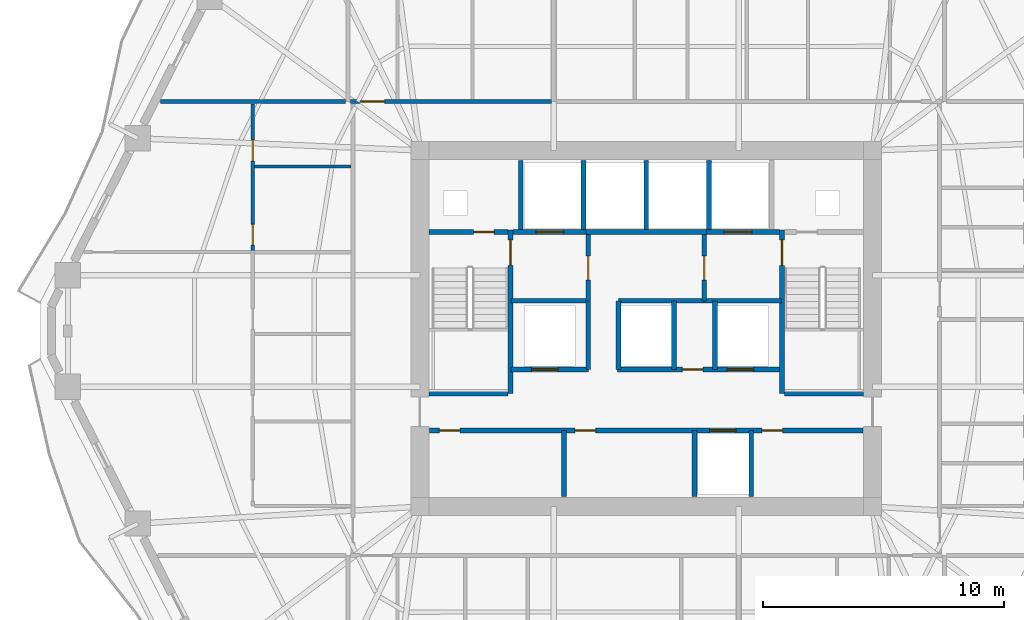
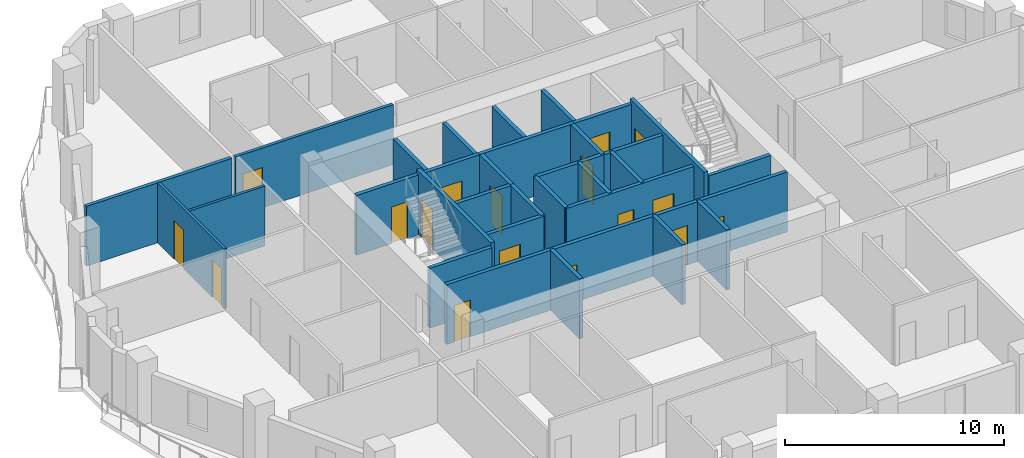
# One storey, part 5 of 11: 31 walls, 17 doors, 17 openings.
"""IFC4 building model written with IfcOpenShell, lengths in metres."""

from ifc_helpers import new_model, si_unit, direction, frame, frame_2d, origin, place, context, subcontext, project, spatial, rectangle, extrude, material, layer, layer_set, type_object, element, fill, save


model = new_model("IFC4")

# Units and contexts
model_context = context("Model", 3, precision=1e-05, world=origin(), true_north=direction((0.0, 1.0)))
body_context = subcontext(model_context, "Body", "Model", "MODEL_VIEW")
ifc_project = project(units=[si_unit("LENGTHUNIT", "METRE"), si_unit("AREAUNIT", "SQUARE_METRE"), si_unit("VOLUMEUNIT", "CUBIC_METRE"), si_unit("PLANEANGLEUNIT", "RADIAN"), si_unit("MASSUNIT", "GRAM", prefix="KILO")], contexts=[model_context])

# Site, building, storey
site_placement = place(None, origin())
site = spatial("IfcSite", under=ifc_project, at=site_placement, CompositionType="ELEMENT")
building_placement = place(site_placement, origin())
building = spatial("IfcBuilding", under=site, at=building_placement, Name="Cinnabar Lancet Tower", CompositionType="ELEMENT")
storey_placement = place(building_placement, frame((0.0, 0.0, 101.949951171875)))
storey = spatial("IfcBuildingStorey", under=building, at=storey_placement, Name="L26", CompositionType="ELEMENT", Elevation=101.949951171875)

# Wall, opening, door
ifc_material_1 = material(Name="Acoustic twin-stud gypsum partition", Category="gypsum")
ifc_layer_1 = layer(ifc_material_1, 0.159912109375)
ifc_layer_set_1 = layer_set([ifc_layer_1], Name="Acoustic twin-stud gypsum partition")
wall_type_1 = type_object("IfcWallType", Name="ARC-WL-CORR-160", PredefinedType="PARTITIONING", material=ifc_layer_set_1)
wall_1_placement = place(storey_placement, frame((20.14501953125, 35.300048828125, 0.0), z_axis=(0.0, 0.0, 1.0), x_axis=(1.0, 0.0, 0.0)))
wall_1 = element("IfcWall", 1, at=wall_1_placement, inside=storey, type_object=wall_type_1, Name="L26 Unit N01 Corridor Wall", PredefinedType="PARTITIONING", context=body_context, shape_type="SweptSolid", body=[
    extrude(rectangle(XDim=8.327880859375, YDim=0.159912109375, at=frame_2d((4.1640625, 0.0))), origin(), (0.0, 0.0, 1.0), 3.340087890625),
])
opening_1_placement = place(wall_1_placement, frame((0.405029296875, 0.0, 0.0)))
opening_1 = element("IfcOpeningElement", 2, at=opening_1_placement, cuts=wall_1, Name="Opening UD-01", PredefinedType="OPENING", context=body_context, shape_type="SweptSolid", body=[
    extrude(rectangle(XDim=1.02001953125, YDim=2.25, at=frame_2d((0.510009765625, 1.125))), frame((0.0, 0.08984375, 0.0), z_axis=(0.0, -1.0, 0.0), x_axis=(1.0, 0.0, 0.0)), (0.0, 0.0, 1.0), 0.179931640625),
])
ifc_material_2 = material(Name="Solid timber fire-rated apartment entrance door", Category="wood")
door_type_1 = type_object("IfcDoorType", Name="ARC-DR-UNIT", OperationType="NOTDEFINED", PredefinedType="DOOR", material=ifc_material_2)
door_1_placement = place(opening_1_placement, origin())
door_1 = element("IfcDoor", 3, at=door_1_placement, inside=storey, type_object=door_type_1, Name="DR-L26-N01-ENT", OperationType="SINGLE_SWING_RIGHT", OverallHeight=2.25, OverallWidth=1.02001953125, PredefinedType="DOOR", context=body_context, shape_type="SweptSolid", body=[
    extrude(rectangle(XDim=1.02001953125, YDim=2.25, at=frame_2d((0.510009765625, 1.125))), frame((0.0, 0.02490234375, 0.0), z_axis=(0.0, -1.0, 0.0), x_axis=(1.0, 0.0, 0.0)), (0.0, 0.0, 1.0), 0.050048828125),
])
fill(opening_1, door_1)

# Walls
ifc_material_3 = material(Name="Fire-rated twin-frame acoustic drywall", Category="gypsum")
ifc_layer_2 = layer(ifc_material_3, 0.179931640625)
ifc_layer_set_2 = layer_set([ifc_layer_2], Name="Fire-rated twin-frame acoustic drywall")
wall_type_2 = type_object("IfcWallType", Name="ARC-WL-PARTY-180", PredefinedType="PARTITIONING", material=ifc_layer_set_2)
wall_2_placement = place(storey_placement, frame((12.285888671875, 35.300048828125, 0.0), z_axis=(0.0, 0.0, 1.0), x_axis=(1.0, 0.0, 0.0)))
element("IfcWall", 4, at=wall_2_placement, inside=storey, type_object=wall_type_2, Name="PW-L26-WNB", PredefinedType="PARTITIONING", context=body_context, shape_type="SweptSolid", body=[
    extrude(rectangle(XDim=7.669189453125, YDim=0.179931640625, at=frame_2d((3.83447265625, 0.0))), origin(), (0.0, 0.0, 1.0), 3.340087890625),
])
ifc_material_4 = material(Name="Autoclaved aerated concrete blockwork", Category="masonry")
ifc_layer_3 = layer(ifc_material_4, 0.199951171875)
ifc_layer_set_3 = layer_set([ifc_layer_3], Name="Autoclaved aerated concrete blockwork")
wall_type_3 = type_object("IfcWallType", Name="ARC-WL-SHAFT-200", PredefinedType="PLUMBINGWALL", material=ifc_layer_set_3)
for number, where, z_axis, x_axis, name in (
    (5, (23.405029296875, 23.199951171875, 0.0), (0.0, 0.0, 1.0), (1.0, 0.0, 0.0), "CW-ST1S-L26"),
    (6, (38.125, 23.199951171875, 0.0), (0.0, 0.0, 1.0), (1.0, 0.0, 0.0), "CW-ST2S-L26"),
):
    element("IfcWall", number, at=place(storey_placement, frame(where, z_axis=z_axis, x_axis=x_axis)), inside=storey, type_object=wall_type_3, Name=name, PredefinedType="PLUMBINGWALL", context=body_context, shape_type="SweptSolid", body=[
        extrude(rectangle(XDim=3.27001953125, YDim=0.199951171875, at=frame_2d((1.635009765625, 0.0))), origin(), (0.0, 0.0, 1.0), 3.340087890625),
    ])

# Wall, opening, door
wall_3_placement = place(storey_placement, frame((23.405029296875, 29.89990234375, 0.0), z_axis=(0.0, 0.0, 1.0), x_axis=(1.0, 0.0, 0.0)))
wall_3 = element("IfcWall", 7, at=wall_3_placement, inside=storey, type_object=wall_type_3, Name="CW-NSH-W-L26", PredefinedType="PLUMBINGWALL", context=body_context, shape_type="SweptSolid", body=[
    extrude(rectangle(XDim=3.27001953125, YDim=0.199951171875, at=frame_2d((1.635009765625, 0.0))), origin(), (0.0, 0.0, 1.0), 3.340087890625),
])
opening_2_placement = place(wall_3_placement, frame((1.85009765625, 0.0, 0.0)))
opening_2 = element("IfcOpeningElement", 8, at=opening_2_placement, cuts=wall_3, Name="Opening PD-02", PredefinedType="OPENING", context=body_context, shape_type="SweptSolid", body=[
    extrude(rectangle(XDim=0.85009765625, YDim=2.050048828125, at=frame_2d((0.425048828125, 1.02490234375))), frame((0.0, 0.10986328125, 0.0), z_axis=(0.0, -1.0, 0.0), x_axis=(1.0, 0.0, 0.0)), (0.0, 0.0, 1.0), 0.219970703125),
])
ifc_material_5 = material(Name="Fire-rated steel riser access door", Category="steel")
door_type_2 = type_object("IfcDoorType", Name="ARC-DR-RISER", OperationType="NOTDEFINED", PredefinedType="DOOR", material=ifc_material_5)
door_2_placement = place(opening_2_placement, origin())
door_2 = element("IfcDoor", 9, at=door_2_placement, inside=storey, type_object=door_type_2, Name="L26 West Riser Access Door", OperationType="SINGLE_SWING_LEFT", OverallHeight=2.050048828125, OverallWidth=0.85009765625, PredefinedType="DOOR", context=body_context, shape_type="SweptSolid", body=[
    extrude(rectangle(XDim=0.85009765625, YDim=2.050048828125, at=frame_2d((0.425048828125, 1.02490234375))), frame((0.0, 0.02490234375, 0.0), z_axis=(0.0, -1.0, 0.0), x_axis=(1.0, 0.0, 0.0)), (0.0, 0.0, 1.0), 0.050048828125),
])
fill(opening_2, door_2)

wall_4_placement = place(storey_placement, frame((26.885009765625, 29.89990234375, 0.0), z_axis=(0.0, 0.0, 1.0), x_axis=(1.0, 0.0, 0.0)))
wall_4 = element("IfcWall", 10, at=wall_4_placement, inside=storey, type_object=wall_type_3, Name="CW-FL1-L26", PredefinedType="PLUMBINGWALL", context=body_context, shape_type="SweptSolid", body=[
    extrude(rectangle(XDim=3.014892578125, YDim=0.199951171875, at=frame_2d((1.50732421875, 0.0))), origin(), (0.0, 0.0, 1.0), 3.340087890625),
])
opening_3_placement = place(wall_4_placement, frame((0.93994140625, 0.0, 0.0)))
opening_3 = element("IfcOpeningElement", 11, at=opening_3_placement, cuts=wall_4, Name="Opening LD-02", PredefinedType="OPENING", context=body_context, shape_type="SweptSolid", body=[
    extrude(rectangle(XDim=1.14990234375, YDim=2.199951171875, at=frame_2d((0.574951171875, 1.10009765625))), frame((0.0, 0.10986328125, 0.0), z_axis=(0.0, -1.0, 0.0), x_axis=(1.0, 0.0, 0.0)), (0.0, 0.0, 1.0), 0.219970703125),
])
ifc_material_6 = material(Name="Fire-rated stainless steel firefighting lift landing door", Category="steel")
door_type_3 = type_object("IfcDoorType", Name="ARC-DR-LD-FIRE", OperationType="NOTDEFINED", PredefinedType="DOOR", material=ifc_material_6)
door_3_placement = place(opening_3_placement, origin())
door_3 = element("IfcDoor", 12, at=door_3_placement, inside=storey, type_object=door_type_3, Name="L26 Firefighting Lift FL-1 Landing Door", OperationType="DOUBLE_DOOR_SLIDING", OverallHeight=2.199951171875, OverallWidth=1.14990234375, PredefinedType="DOOR", context=body_context, shape_type="SweptSolid", body=[
    extrude(rectangle(XDim=1.14990234375, YDim=2.199951171875, at=frame_2d((0.574951171875, 1.10009765625))), frame((0.0, 0.02490234375, 0.0), z_axis=(0.0, -1.0, 0.0), x_axis=(1.0, 0.0, 0.0)), (0.0, 0.0, 1.0), 0.050048828125),
])
fill(opening_3, door_3)

# Wall
wall_5_placement = place(storey_placement, frame((29.89990234375, 29.89990234375, 0.0), z_axis=(0.0, 0.0, 1.0), x_axis=(1.0, 0.0, 0.0)))
element("IfcWall", 13, at=wall_5_placement, inside=storey, type_object=wall_type_3, Name="CW-PL78-L26", PredefinedType="PLUMBINGWALL", context=body_context, shape_type="SweptSolid", body=[
    extrude(rectangle(XDim=5.0, YDim=0.199951171875, at=frame_2d((2.5, 0.0))), origin(), (0.0, 0.0, 1.0), 3.340087890625),
])

# Wall, opening, door
wall_6_placement = place(storey_placement, frame((34.89990234375, 29.89990234375, 0.0), z_axis=(0.0, 0.0, 1.0), x_axis=(1.0, 0.0, 0.0)))
wall_6 = element("IfcWall", 14, at=wall_6_placement, inside=storey, type_object=wall_type_3, Name="CW-FL2-L26", PredefinedType="PLUMBINGWALL", context=body_context, shape_type="SweptSolid", body=[
    extrude(rectangle(XDim=3.01513671875, YDim=0.199951171875, at=frame_2d((1.507568359375, 0.0))), origin(), (0.0, 0.0, 1.0), 3.340087890625),
])
opening_4_placement = place(wall_6_placement, frame((0.72509765625, 0.0, 0.0)))
opening_4 = element("IfcOpeningElement", 15, at=opening_4_placement, cuts=wall_6, Name="Opening LD-02", PredefinedType="OPENING", context=body_context, shape_type="SweptSolid", body=[
    extrude(rectangle(XDim=1.14990234375, YDim=2.199951171875, at=frame_2d((0.574951171875, 1.10009765625))), frame((0.0, 0.10986328125, 0.0), z_axis=(0.0, -1.0, 0.0), x_axis=(1.0, 0.0, 0.0)), (0.0, 0.0, 1.0), 0.219970703125),
])
door_4_placement = place(opening_4_placement, origin())
door_4 = element("IfcDoor", 16, at=door_4_placement, inside=storey, type_object=door_type_3, Name="L26 Firefighting Lift FL-2 Landing Door", OperationType="DOUBLE_DOOR_SLIDING", OverallHeight=2.199951171875, OverallWidth=1.14990234375, PredefinedType="DOOR", context=body_context, shape_type="SweptSolid", body=[
    extrude(rectangle(XDim=1.14990234375, YDim=2.199951171875, at=frame_2d((0.574951171875, 1.10009765625))), frame((0.0, 0.02490234375, 0.0), z_axis=(0.0, -1.0, 0.0), x_axis=(1.0, 0.0, 0.0)), (0.0, 0.0, 1.0), 0.050048828125),
])
fill(opening_4, door_4)

# Walls
for number, where, z_axis, x_axis, name in (
    (17, (27.199951171875, 30.0, 0.0), (0.0, 0.0, 1.0), (0.0, 1.0, 0.0), "CW-NSH-D1-L26"),
    (18, (29.800048828125, 30.0, 0.0), (0.0, 0.0, 1.0), (0.0, 1.0, 0.0), "CW-NSH-D2-L26"),
    (19, (32.39990234375, 30.0, 0.0), (0.0, 0.0, 1.0), (0.0, 1.0, 0.0), "CW-NSH-D3-L26"),
    (20, (35.0, 30.0, 0.0), (0.0, 0.0, 1.0), (0.0, 1.0, 0.0), "CW-NSH-D4-L26"),
):
    element("IfcWall", number, at=place(storey_placement, frame(where, z_axis=z_axis, x_axis=x_axis)), inside=storey, type_object=wall_type_3, Name=name, PredefinedType="PLUMBINGWALL", context=body_context, shape_type="SweptSolid", body=[
        extrude(rectangle(XDim=2.85009765625, YDim=0.199951171875, at=frame_2d((1.425048828125, 0.0))), origin(), (0.0, 0.0, 1.0), 3.340087890625),
    ])

# Wall, opening, door
wall_7_placement = place(storey_placement, frame((30.0, 27.050048828125, 0.0), z_axis=(0.0, 0.0, 1.0), x_axis=(0.0, 1.0, 0.0)))
wall_7 = element("IfcWall", 21, at=wall_7_placement, inside=storey, type_object=wall_type_3, Name="CW-FF1E-L26", PredefinedType="PLUMBINGWALL", context=body_context, shape_type="SweptSolid", body=[
    extrude(rectangle(XDim=2.75, YDim=0.199951171875, at=frame_2d((1.375, 0.0))), origin(), (0.0, 0.0, 1.0), 3.340087890625),
])
opening_5_placement = place(wall_7_placement, frame((0.85009765625, 0.0, 0.0)))
opening_5 = element("IfcOpeningElement", 22, at=opening_5_placement, cuts=wall_7, Name="Opening FD-01", PredefinedType="OPENING", context=body_context, shape_type="SweptSolid", body=[
    extrude(rectangle(XDim=1.0, YDim=2.14990234375, at=frame_2d((0.5, 1.074951171875))), frame((0.0, 0.10986328125, 0.0), z_axis=(0.0, -1.0, 0.0), x_axis=(1.0, 0.0, 0.0)), (0.0, 0.0, 1.0), 0.219970703125),
])
ifc_material_7 = material(Name="Fire-rated timber-core lobby door", Category="wood")
door_type_4 = type_object("IfcDoorType", Name="ARC-DR-FFAL", OperationType="NOTDEFINED", PredefinedType="DOOR", material=ifc_material_7)
door_5_placement = place(opening_5_placement, origin())
door_5 = element("IfcDoor", 23, at=door_5_placement, inside=storey, type_object=door_type_4, Name="L26 FFAL-1 Lobby Fire Door", OperationType="SINGLE_SWING_RIGHT", OverallHeight=2.14990234375, OverallWidth=1.0, PredefinedType="DOOR", context=body_context, shape_type="SweptSolid", body=[
    extrude(rectangle(XDim=1.0, YDim=2.14990234375, at=frame_2d((0.5, 1.074951171875))), frame((0.0, 0.02490234375, 0.0), z_axis=(0.0, -1.0, 0.0), x_axis=(1.0, 0.0, 0.0)), (0.0, 0.0, 1.0), 0.050048828125),
])
fill(opening_5, door_5)

# Wall
wall_8_placement = place(storey_placement, frame((26.800048828125, 27.050048828125, 0.0), z_axis=(0.0, 0.0, 1.0), x_axis=(1.0, 0.0, 0.0)))
element("IfcWall", 24, at=wall_8_placement, inside=storey, type_object=wall_type_3, Name="CW-FF1S-L26", PredefinedType="PLUMBINGWALL", context=body_context, shape_type="SweptSolid", body=[
    extrude(rectangle(XDim=3.199951171875, YDim=0.199951171875, at=frame_2d((1.60009765625, 0.0))), origin(), (0.0, 0.0, 1.0), 3.340087890625),
])

# Wall, opening, door
wall_9_placement = place(storey_placement, frame((34.800048828125, 27.050048828125, 0.0), z_axis=(0.0, 0.0, 1.0), x_axis=(0.0, 1.0, 0.0)))
wall_9 = element("IfcWall", 25, at=wall_9_placement, inside=storey, type_object=wall_type_3, Name="CW-FF2W-L26", PredefinedType="PLUMBINGWALL", context=body_context, shape_type="SweptSolid", body=[
    extrude(rectangle(XDim=2.75, YDim=0.199951171875, at=frame_2d((1.375, 0.0))), origin(), (0.0, 0.0, 1.0), 3.340087890625),
])
opening_6_placement = place(wall_9_placement, frame((0.85009765625, 0.0, 0.0)))
opening_6 = element("IfcOpeningElement", 26, at=opening_6_placement, cuts=wall_9, Name="Opening FD-01", PredefinedType="OPENING", context=body_context, shape_type="SweptSolid", body=[
    extrude(rectangle(XDim=1.0, YDim=2.14990234375, at=frame_2d((0.5, 1.074951171875))), frame((0.0, 0.10986328125, 0.0), z_axis=(0.0, -1.0, 0.0), x_axis=(1.0, 0.0, 0.0)), (0.0, 0.0, 1.0), 0.219970703125),
])
door_6_placement = place(opening_6_placement, origin())
door_6 = element("IfcDoor", 27, at=door_6_placement, inside=storey, type_object=door_type_4, Name="L26 FFAL-2 Lobby Fire Door", OperationType="SINGLE_SWING_LEFT", OverallHeight=2.14990234375, OverallWidth=1.0, PredefinedType="DOOR", context=body_context, shape_type="SweptSolid", body=[
    extrude(rectangle(XDim=1.0, YDim=2.14990234375, at=frame_2d((0.5, 1.074951171875))), frame((0.0, 0.02490234375, 0.0), z_axis=(0.0, -1.0, 0.0), x_axis=(1.0, 0.0, 0.0)), (0.0, 0.0, 1.0), 0.050048828125),
])
fill(opening_6, door_6)

# Wall
wall_10_placement = place(storey_placement, frame((34.800048828125, 27.050048828125, 0.0), z_axis=(0.0, 0.0, 1.0), x_axis=(1.0, 0.0, 0.0)))
element("IfcWall", 28, at=wall_10_placement, inside=storey, type_object=wall_type_3, Name="CW-FF2S-L26", PredefinedType="PLUMBINGWALL", context=body_context, shape_type="SweptSolid", body=[
    extrude(rectangle(XDim=3.199951171875, YDim=0.199951171875, at=frame_2d((1.60009765625, 0.0))), origin(), (0.0, 0.0, 1.0), 3.340087890625),
])

# Wall, opening, door
wall_11_placement = place(storey_placement, frame((26.800048828125, 24.199951171875, 0.0), z_axis=(0.0, 0.0, 1.0), x_axis=(1.0, 0.0, 0.0)))
wall_11 = element("IfcWall", 29, at=wall_11_placement, inside=storey, type_object=wall_type_3, Name="CW-PL5S-L26", PredefinedType="PLUMBINGWALL", context=body_context, shape_type="SweptSolid", body=[
    extrude(rectangle(XDim=3.199951171875, YDim=0.199951171875, at=frame_2d((1.60009765625, 0.0))), origin(), (0.0, 0.0, 1.0), 3.340087890625),
])
opening_7_placement = place(wall_11_placement, frame((0.85009765625, 0.0, 0.0)))
opening_7 = element("IfcOpeningElement", 30, at=opening_7_placement, cuts=wall_11, Name="Opening LD-01", PredefinedType="OPENING", context=body_context, shape_type="SweptSolid", body=[
    extrude(rectangle(XDim=1.10009765625, YDim=2.199951171875, at=frame_2d((0.550048828125, 1.10009765625))), frame((0.0, 0.10986328125, 0.0), z_axis=(0.0, -1.0, 0.0), x_axis=(1.0, 0.0, 0.0)), (0.0, 0.0, 1.0), 0.219970703125),
])
ifc_material_8 = material(Name="Brushed stainless steel sliding lift door", Category="steel")
door_type_5 = type_object("IfcDoorType", Name="ARC-DR-LD-PASS", OperationType="NOTDEFINED", PredefinedType="DOOR", material=ifc_material_8)
door_7_placement = place(opening_7_placement, origin())
door_7 = element("IfcDoor", 31, at=door_7_placement, inside=storey, type_object=door_type_5, Name="L26 Lift PL-5 Landing Door", OperationType="DOUBLE_DOOR_SLIDING", OverallHeight=2.199951171875, OverallWidth=1.10009765625, PredefinedType="DOOR", context=body_context, shape_type="SweptSolid", body=[
    extrude(rectangle(XDim=1.10009765625, YDim=2.199951171875, at=frame_2d((0.550048828125, 1.10009765625))), frame((0.0, 0.02490234375, 0.0), z_axis=(0.0, -1.0, 0.0), x_axis=(1.0, 0.0, 0.0)), (0.0, 0.0, 1.0), 0.050048828125),
])
fill(opening_7, door_7)

# Wall
wall_12_placement = place(storey_placement, frame((30.0, 24.199951171875, 0.0), z_axis=(0.0, 0.0, 1.0), x_axis=(0.0, 1.0, 0.0)))
element("IfcWall", 32, at=wall_12_placement, inside=storey, type_object=wall_type_3, Name="CW-PL5E-L26", PredefinedType="PLUMBINGWALL", context=body_context, shape_type="SweptSolid", body=[
    extrude(rectangle(XDim=2.85009765625, YDim=0.199951171875, at=frame_2d((1.425048828125, 0.0))), origin(), (0.0, 0.0, 1.0), 3.340087890625),
])

# Wall, openings, doors
wall_13_placement = place(storey_placement, frame((31.199951171875, 24.199951171875, 0.0), z_axis=(0.0, 0.0, 1.0), x_axis=(1.0, 0.0, 0.0)))
wall_13 = element("IfcWall", 33, at=wall_13_placement, inside=storey, type_object=wall_type_3, Name="CW-PL96S-L26", PredefinedType="PLUMBINGWALL", context=body_context, shape_type="SweptSolid", body=[
    extrude(rectangle(XDim=6.800048828125, YDim=0.199951171875, at=frame_2d((3.39990234375, 0.0))), origin(), (0.0, 0.0, 1.0), 3.340087890625),
])
opening_8_placement = place(wall_13_placement, frame((2.699951171875, 0.0, 0.0)))
opening_8 = element("IfcOpeningElement", 34, at=opening_8_placement, cuts=wall_13, Name="Opening PD-02", PredefinedType="OPENING", context=body_context, shape_type="SweptSolid", body=[
    extrude(rectangle(XDim=0.85009765625, YDim=2.050048828125, at=frame_2d((0.425048828125, 1.02490234375))), frame((0.0, 0.10986328125, 0.0), z_axis=(0.0, -1.0, 0.0), x_axis=(1.0, 0.0, 0.0)), (0.0, 0.0, 1.0), 0.219970703125),
])
opening_9_placement = place(wall_13_placement, frame((4.550048828125, 0.0, 0.0)))
opening_9 = element("IfcOpeningElement", 35, at=opening_9_placement, cuts=wall_13, Name="Opening LD-01", PredefinedType="OPENING", context=body_context, shape_type="SweptSolid", body=[
    extrude(rectangle(XDim=1.10009765625, YDim=2.199951171875, at=frame_2d((0.550048828125, 1.10009765625))), frame((0.0, 0.10986328125, 0.0), z_axis=(0.0, -1.0, 0.0), x_axis=(1.0, 0.0, 0.0)), (0.0, 0.0, 1.0), 0.219970703125),
])
door_8_placement = place(opening_9_placement, origin())
door_8 = element("IfcDoor", 36, at=door_8_placement, inside=storey, type_object=door_type_5, Name="L26 Lift PL-6 Landing Door", OperationType="DOUBLE_DOOR_SLIDING", OverallHeight=2.199951171875, OverallWidth=1.10009765625, PredefinedType="DOOR", context=body_context, shape_type="SweptSolid", body=[
    extrude(rectangle(XDim=1.10009765625, YDim=2.199951171875, at=frame_2d((0.550048828125, 1.10009765625))), frame((0.0, 0.02490234375, 0.0), z_axis=(0.0, -1.0, 0.0), x_axis=(1.0, 0.0, 0.0)), (0.0, 0.0, 1.0), 0.050048828125),
])
fill(opening_9, door_8)
door_9_placement = place(opening_8_placement, origin())
door_9 = element("IfcDoor", 37, at=door_9_placement, inside=storey, type_object=door_type_2, Name="L26 BMS Closet Door", OperationType="SINGLE_SWING_LEFT", OverallHeight=2.050048828125, OverallWidth=0.85009765625, PredefinedType="DOOR", context=body_context, shape_type="SweptSolid", body=[
    extrude(rectangle(XDim=0.85009765625, YDim=2.050048828125, at=frame_2d((0.425048828125, 1.02490234375))), frame((0.0, 0.02490234375, 0.0), z_axis=(0.0, -1.0, 0.0), x_axis=(1.0, 0.0, 0.0)), (0.0, 0.0, 1.0), 0.050048828125),
])
fill(opening_8, door_9)

# Walls
for number, where, z_axis, x_axis, name in (
    (38, (31.25, 24.199951171875, 0.0), (0.0, 0.0, 1.0), (0.0, 1.0, 0.0), "CW-PL9W-L26"),
    (39, (33.550048828125, 24.199951171875, 0.0), (0.0, 0.0, 1.0), (0.0, 1.0, 0.0), "CW-PL9E-L26"),
    (40, (35.25, 24.199951171875, 0.0), (0.0, 0.0, 1.0), (0.0, 1.0, 0.0), "CW-PL6W-L26"),
):
    element("IfcWall", number, at=place(storey_placement, frame(where, z_axis=z_axis, x_axis=x_axis)), inside=storey, type_object=wall_type_3, Name=name, PredefinedType="PLUMBINGWALL", context=body_context, shape_type="SweptSolid", body=[
        extrude(rectangle(XDim=2.85009765625, YDim=0.199951171875, at=frame_2d((1.425048828125, 0.0))), origin(), (0.0, 0.0, 1.0), 3.340087890625),
    ])
wall_14_placement = place(storey_placement, frame((31.25, 27.050048828125, 0.0), z_axis=(0.0, 0.0, 1.0), x_axis=(1.0, 0.0, 0.0)))
element("IfcWall", 41, at=wall_14_placement, inside=storey, type_object=wall_type_3, Name="CW-PL96N-L26", PredefinedType="PLUMBINGWALL", context=body_context, shape_type="SweptSolid", body=[
    extrude(rectangle(XDim=3.550048828125, YDim=0.199951171875, at=frame_2d((1.77490234375, 0.0))), origin(), (0.0, 0.0, 1.0), 3.340087890625),
])

# Wall, openings, doors
wall_15_placement = place(storey_placement, frame((23.419921875, 21.679931640625, 0.0), z_axis=(0.0, 0.0, 1.0), x_axis=(1.0, 0.0, 0.0)))
wall_15 = element("IfcWall", 42, at=wall_15_placement, inside=storey, type_object=wall_type_3, Name="CW-SBANDN-L26", PredefinedType="PLUMBINGWALL", context=body_context, shape_type="SweptSolid", body=[
    extrude(rectangle(XDim=17.9599609375, YDim=0.199951171875, at=frame_2d((8.97998046875, 0.0))), origin(), (0.0, 0.0, 1.0), 3.340087890625),
])
opening_10_placement = place(wall_15_placement, frame((11.60009765625, 0.0, 0.0)))
opening_10 = element("IfcOpeningElement", 43, at=opening_10_placement, cuts=wall_15, Name="Opening LD-01", PredefinedType="OPENING", context=body_context, shape_type="SweptSolid", body=[
    extrude(rectangle(XDim=1.10009765625, YDim=2.199951171875, at=frame_2d((0.550048828125, 1.10009765625))), frame((0.0, 0.10986328125, 0.0), z_axis=(0.0, -1.0, 0.0), x_axis=(1.0, 0.0, 0.0)), (0.0, 0.0, 1.0), 0.219970703125),
])
opening_11_placement = place(wall_15_placement, frame((0.409912109375, 0.0, 0.0)))
opening_11 = element("IfcOpeningElement", 44, at=opening_11_placement, cuts=wall_15, Name="Opening PD-02", PredefinedType="OPENING", context=body_context, shape_type="SweptSolid", body=[
    extrude(rectangle(XDim=0.85009765625, YDim=2.050048828125, at=frame_2d((0.425048828125, 1.02490234375))), frame((0.0, 0.10986328125, 0.0), z_axis=(0.0, -1.0, 0.0), x_axis=(1.0, 0.0, 0.0)), (0.0, 0.0, 1.0), 0.219970703125),
])
opening_12_placement = place(wall_15_placement, frame((6.030029296875, 0.0, 0.0)))
opening_12 = element("IfcOpeningElement", 45, at=opening_12_placement, cuts=wall_15, Name="Opening PD-02", PredefinedType="OPENING", context=body_context, shape_type="SweptSolid", body=[
    extrude(rectangle(XDim=0.85009765625, YDim=2.050048828125, at=frame_2d((0.425048828125, 1.02490234375))), frame((0.0, 0.10986328125, 0.0), z_axis=(0.0, -1.0, 0.0), x_axis=(1.0, 0.0, 0.0)), (0.0, 0.0, 1.0), 0.219970703125),
])
opening_13_placement = place(wall_15_placement, frame((13.780029296875, 0.0, 0.0)))
opening_13 = element("IfcOpeningElement", 46, at=opening_13_placement, cuts=wall_15, Name="Opening PD-02", PredefinedType="OPENING", context=body_context, shape_type="SweptSolid", body=[
    extrude(rectangle(XDim=0.85009765625, YDim=2.050048828125, at=frame_2d((0.425048828125, 1.02490234375))), frame((0.0, 0.10986328125, 0.0), z_axis=(0.0, -1.0, 0.0), x_axis=(1.0, 0.0, 0.0)), (0.0, 0.0, 1.0), 0.219970703125),
])
door_10_placement = place(opening_10_placement, origin())
door_10 = element("IfcDoor", 47, at=door_10_placement, inside=storey, type_object=door_type_5, Name="L26 Lift PL-4 Landing Door", OperationType="DOUBLE_DOOR_SLIDING", OverallHeight=2.199951171875, OverallWidth=1.10009765625, PredefinedType="DOOR", context=body_context, shape_type="SweptSolid", body=[
    extrude(rectangle(XDim=1.10009765625, YDim=2.199951171875, at=frame_2d((0.550048828125, 1.10009765625))), frame((0.0, 0.02490234375, 0.0), z_axis=(0.0, -1.0, 0.0), x_axis=(1.0, 0.0, 0.0)), (0.0, 0.0, 1.0), 0.050048828125),
])
fill(opening_10, door_10)
door_11_placement = place(opening_11_placement, origin())
door_11 = element("IfcDoor", 48, at=door_11_placement, inside=storey, type_object=door_type_2, Name="DR-L26-MREC1", OperationType="SINGLE_SWING_LEFT", OverallHeight=2.050048828125, OverallWidth=0.85009765625, PredefinedType="DOOR", context=body_context, shape_type="SweptSolid", body=[
    extrude(rectangle(XDim=0.85009765625, YDim=2.050048828125, at=frame_2d((0.425048828125, 1.02490234375))), frame((0.0, 0.02490234375, 0.0), z_axis=(0.0, -1.0, 0.0), x_axis=(1.0, 0.0, 0.0)), (0.0, 0.0, 1.0), 0.050048828125),
])
fill(opening_11, door_11)
door_12_placement = place(opening_12_placement, origin())
door_12 = element("IfcDoor", 49, at=door_12_placement, inside=storey, type_object=door_type_2, Name="DR-L26-MREC2", OperationType="SINGLE_SWING_RIGHT", OverallHeight=2.050048828125, OverallWidth=0.85009765625, PredefinedType="DOOR", context=body_context, shape_type="SweptSolid", body=[
    extrude(rectangle(XDim=0.85009765625, YDim=2.050048828125, at=frame_2d((0.425048828125, 1.02490234375))), frame((0.0, 0.02490234375, 0.0), z_axis=(0.0, -1.0, 0.0), x_axis=(1.0, 0.0, 0.0)), (0.0, 0.0, 1.0), 0.050048828125),
])
fill(opening_12, door_12)
door_13_placement = place(opening_13_placement, origin())
door_13 = element("IfcDoor", 50, at=door_13_placement, inside=storey, type_object=door_type_2, Name="DR-L26-MREC3", OperationType="SINGLE_SWING_LEFT", OverallHeight=2.050048828125, OverallWidth=0.85009765625, PredefinedType="DOOR", context=body_context, shape_type="SweptSolid", body=[
    extrude(rectangle(XDim=0.85009765625, YDim=2.050048828125, at=frame_2d((0.425048828125, 1.02490234375))), frame((0.0, 0.02490234375, 0.0), z_axis=(0.0, -1.0, 0.0), x_axis=(1.0, 0.0, 0.0)), (0.0, 0.0, 1.0), 0.050048828125),
])
fill(opening_13, door_13)

# Walls
for number, where, z_axis, x_axis, name in (
    (51, (34.39990234375, 18.949951171875, 0.0), (0.0, 0.0, 1.0), (0.0, 1.0, 0.0), "CW-SB-3440-L26"),
    (52, (36.75, 18.949951171875, 0.0), (0.0, 0.0, 1.0), (0.0, 1.0, 0.0), "CW-SB-3675-L26"),
    (53, (28.989990234375, 18.949951171875, 0.0), (0.0, 0.0, 1.0), (0.0, 1.0, 0.0), "CW-SB-2899-L26"),
):
    element("IfcWall", number, at=place(storey_placement, frame(where, z_axis=z_axis, x_axis=x_axis)), inside=storey, type_object=wall_type_3, Name=name, PredefinedType="PLUMBINGWALL", context=body_context, shape_type="SweptSolid", body=[
        extrude(rectangle(XDim=2.72998046875, YDim=0.199951171875, at=frame_2d((1.364990234375, 0.0))), origin(), (0.0, 0.0, 1.0), 3.340087890625),
    ])

# Wall, openings, doors
ifc_material_9 = material(Name="Moisture-resistant cement-board plumbing wall", Category="masonry")
ifc_layer_4 = layer(ifc_material_9, 0.139892578125)
ifc_layer_set_4 = layer_set([ifc_layer_4], Name="Moisture-resistant cement-board plumbing wall")
wall_type_4 = type_object("IfcWallType", Name="ARC-WL-WET-140", PredefinedType="PLUMBINGWALL", material=ifc_layer_set_4)
wall_16_placement = place(storey_placement, frame((16.10009765625, 29.134033203125, 0.0), z_axis=(0.0, 0.0, 1.0), x_axis=(0.0, 1.0, 0.0)))
wall_16 = element("IfcWall", 54, at=wall_16_placement, inside=storey, type_object=wall_type_4, Name="UW-L26-W01-SPM", PredefinedType="PLUMBINGWALL", context=body_context, shape_type="SweptSolid", body=[
    extrude(rectangle(XDim=6.071044921875, YDim=0.139892578125, at=frame_2d((3.03564453125, 0.0))), origin(), (0.0, 0.0, 1.0), 3.340087890625),
])
opening_14_placement = place(wall_16_placement, frame((0.219970703125, 0.0, 0.0)))
opening_14 = element("IfcOpeningElement", 55, at=opening_14_placement, cuts=wall_16, Name="Opening BD-01", PredefinedType="OPENING", context=body_context, shape_type="SweptSolid", body=[
    extrude(rectangle(XDim=0.860107421875, YDim=2.10009765625, at=frame_2d((0.43017578125, 1.050048828125))), frame((0.0, 0.079833984375, 0.0), z_axis=(0.0, -1.0, 0.0), x_axis=(1.0, 0.0, 0.0)), (0.0, 0.0, 1.0), 0.159912109375),
])
opening_15_placement = place(wall_16_placement, frame((3.696044921875, 0.0, 0.0)))
opening_15 = element("IfcOpeningElement", 56, at=opening_15_placement, cuts=wall_16, Name="Opening RD-02", PredefinedType="OPENING", context=body_context, shape_type="SweptSolid", body=[
    extrude(rectangle(XDim=0.8798828125, YDim=2.14990234375, at=frame_2d((0.43994140625, 1.074951171875))), frame((0.0, 0.079833984375, 0.0), z_axis=(0.0, -1.0, 0.0), x_axis=(1.0, 0.0, 0.0)), (0.0, 0.0, 1.0), 0.159912109375),
])
ifc_material_10 = material(Name="Moisture-resistant timber bathroom door", Category="wood")
door_type_6 = type_object("IfcDoorType", Name="ARC-DR-BATH", OperationType="NOTDEFINED", PredefinedType="DOOR", material=ifc_material_10)
door_14_placement = place(opening_14_placement, origin())
door_14 = element("IfcDoor", 57, at=door_14_placement, inside=storey, type_object=door_type_6, Name="DR-L26-W01-ENS", OperationType="SINGLE_SWING_LEFT", OverallHeight=2.10009765625, OverallWidth=0.860107421875, PredefinedType="DOOR", context=body_context, shape_type="SweptSolid", body=[
    extrude(rectangle(XDim=0.860107421875, YDim=2.10009765625, at=frame_2d((0.43017578125, 1.050048828125))), frame((0.0, 0.02490234375, 0.0), z_axis=(0.0, -1.0, 0.0), x_axis=(1.0, 0.0, 0.0)), (0.0, 0.0, 1.0), 0.050048828125),
])
fill(opening_14, door_14)
ifc_material_11 = material(Name="Engineered timber study door", Category="wood")
door_type_7 = type_object("IfcDoorType", Name="ARC-DR-STUDY", OperationType="NOTDEFINED", PredefinedType="DOOR", material=ifc_material_11)
door_15_placement = place(opening_15_placement, origin())
door_15 = element("IfcDoor", 58, at=door_15_placement, inside=storey, type_object=door_type_7, Name="DR-L26-W01-EWDR", OperationType="SINGLE_SWING_RIGHT", OverallHeight=2.14990234375, OverallWidth=0.8798828125, PredefinedType="DOOR", context=body_context, shape_type="SweptSolid", body=[
    extrude(rectangle(XDim=0.8798828125, YDim=2.14990234375, at=frame_2d((0.43994140625, 1.074951171875))), frame((0.0, 0.02490234375, 0.0), z_axis=(0.0, -1.0, 0.0), x_axis=(1.0, 0.0, 0.0)), (0.0, 0.0, 1.0), 0.050048828125),
])
fill(opening_15, door_15)

# Wall
wall_17_placement = place(storey_placement, frame((16.18505859375, 32.610107421875, 0.0), z_axis=(0.0, 0.0, 1.0), x_axis=(1.0, 0.0, 0.0)))
element("IfcWall", 59, at=wall_17_placement, inside=storey, type_object=wall_type_4, Name="UW-L26-W01-EWDV", PredefinedType="PLUMBINGWALL", context=body_context, shape_type="SweptSolid", body=[
    extrude(rectangle(XDim=3.97998046875, YDim=0.139892578125, at=frame_2d((1.989990234375, 0.0))), origin(), (0.0, 0.0, 1.0), 3.340087890625),
])

# Wall, opening, door
ifc_material_12 = material(Name="Concrete C50/60", Category="concrete")
ifc_layer_5 = layer(ifc_material_12, 0.199951171875)
ifc_layer_set_5 = layer_set([ifc_layer_5], Name="Concrete C50/60")
wall_type_5 = type_object("IfcWallType", Name="STR-WL-STAIR-200", PredefinedType="SHEAR", material=ifc_layer_set_5)
wall_18_placement = place(storey_placement, frame((26.780029296875, 23.199951171875, 0.0), z_axis=(0.0, 0.0, 1.0), x_axis=(0.0, 1.0, 0.0)))
wall_18 = element("IfcWall", 60, at=wall_18_placement, inside=storey, type_object=wall_type_5, Name="L26 Stair ST-1 Structural Enclosure Wall", PredefinedType="SHEAR", context=body_context, shape_type="SweptSolid", body=[
    extrude(rectangle(XDim=6.780029296875, YDim=0.199951171875, at=frame_2d((3.39013671875, 0.0))), origin(), (0.0, 0.0, 1.0), 3.550048828125),
])
opening_16_placement = place(wall_18_placement, frame((5.320068359375, 0.0, 0.0)))
opening_16 = element("IfcOpeningElement", 61, at=opening_16_placement, cuts=wall_18, Name="Opening SD-01", PredefinedType="OPENING", context=body_context, shape_type="SweptSolid", body=[
    extrude(rectangle(XDim=1.050048828125, YDim=2.14990234375, at=frame_2d((0.52490234375, 1.074951171875))), frame((0.0, 0.10986328125, 0.0), z_axis=(0.0, -1.0, 0.0), x_axis=(1.0, 0.0, 0.0)), (0.0, 0.0, 1.0), 0.219970703125),
])
ifc_material_13 = material(Name="Fire-rated steel stair exit door", Category="steel")
door_type_8 = type_object("IfcDoorType", Name="ARC-DR-STAIR", OperationType="NOTDEFINED", PredefinedType="DOOR", material=ifc_material_13)
door_16_placement = place(opening_16_placement, origin())
door_16 = element("IfcDoor", 62, at=door_16_placement, inside=storey, type_object=door_type_8, Name="L26 Stair ST-1 Fire Door", OperationType="SINGLE_SWING_LEFT", OverallHeight=2.14990234375, OverallWidth=1.050048828125, PredefinedType="DOOR", context=body_context, shape_type="SweptSolid", body=[
    extrude(rectangle(XDim=1.050048828125, YDim=2.14990234375, at=frame_2d((0.52490234375, 1.074951171875))), frame((0.0, 0.02490234375, 0.0), z_axis=(0.0, -1.0, 0.0), x_axis=(1.0, 0.0, 0.0)), (0.0, 0.0, 1.0), 0.050048828125),
])
fill(opening_16, door_16)

wall_19_placement = place(storey_placement, frame((38.02001953125, 23.199951171875, 0.0), z_axis=(0.0, 0.0, 1.0), x_axis=(0.0, 1.0, 0.0)))
wall_19 = element("IfcWall", 63, at=wall_19_placement, inside=storey, type_object=wall_type_5, Name="L26 Stair ST-2 Structural Enclosure Wall", PredefinedType="SHEAR", context=body_context, shape_type="SweptSolid", body=[
    extrude(rectangle(XDim=6.780029296875, YDim=0.199951171875, at=frame_2d((3.39013671875, 0.0))), origin(), (0.0, 0.0, 1.0), 3.550048828125),
])
opening_17_placement = place(wall_19_placement, frame((5.320068359375, 0.0, 0.0)))
opening_17 = element("IfcOpeningElement", 64, at=opening_17_placement, cuts=wall_19, Name="Opening SD-01", PredefinedType="OPENING", context=body_context, shape_type="SweptSolid", body=[
    extrude(rectangle(XDim=1.050048828125, YDim=2.14990234375, at=frame_2d((0.52490234375, 1.074951171875))), frame((0.0, 0.10986328125, 0.0), z_axis=(0.0, -1.0, 0.0), x_axis=(1.0, 0.0, 0.0)), (0.0, 0.0, 1.0), 0.219970703125),
])
door_17_placement = place(opening_17_placement, origin())
door_17 = element("IfcDoor", 65, at=door_17_placement, inside=storey, type_object=door_type_8, Name="L26 Stair ST-2 Fire Door", OperationType="SINGLE_SWING_RIGHT", OverallHeight=2.14990234375, OverallWidth=1.050048828125, PredefinedType="DOOR", context=body_context, shape_type="SweptSolid", body=[
    extrude(rectangle(XDim=1.050048828125, YDim=2.14990234375, at=frame_2d((0.52490234375, 1.074951171875))), frame((0.0, 0.02490234375, 0.0), z_axis=(0.0, -1.0, 0.0), x_axis=(1.0, 0.0, 0.0)), (0.0, 0.0, 1.0), 0.050048828125),
])
fill(opening_17, door_17)

save(model, "model.ifc")
